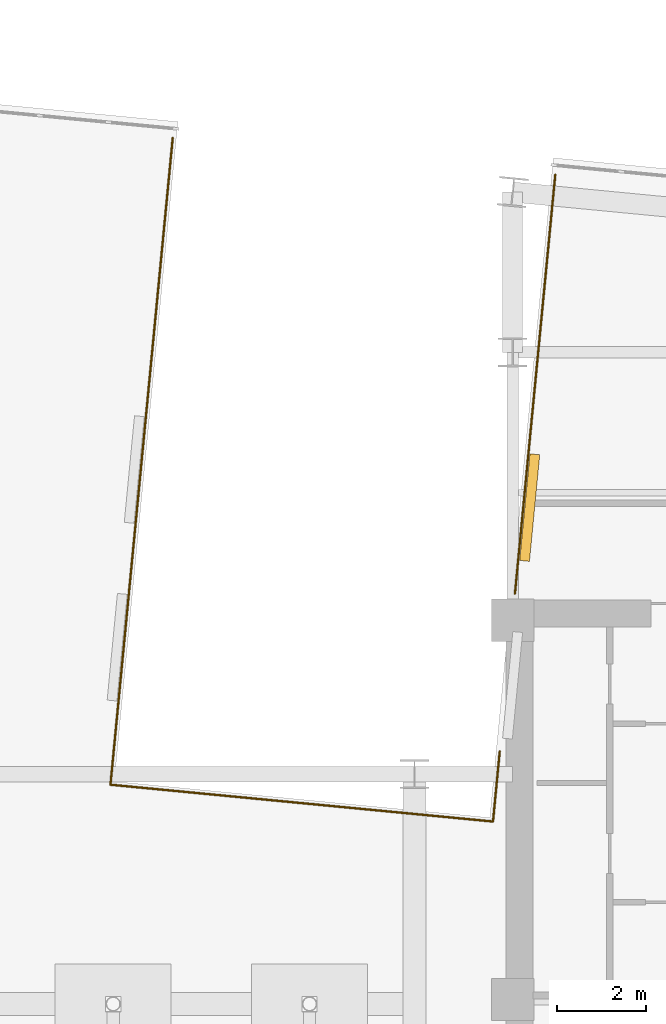
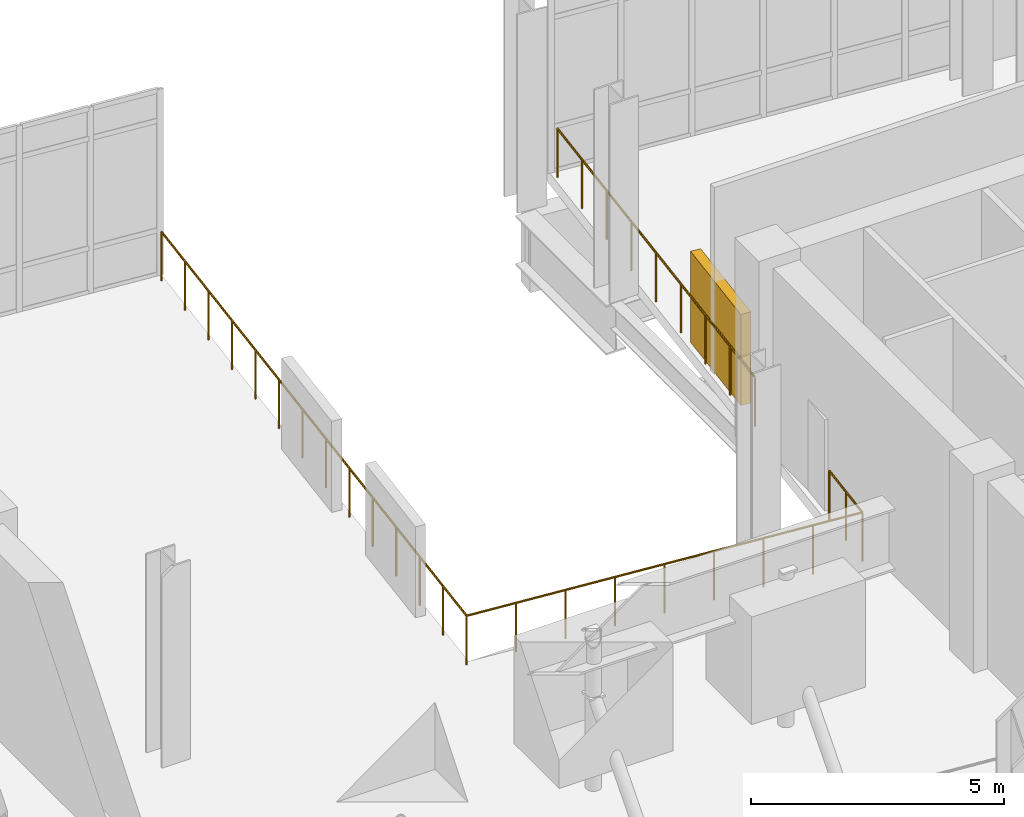
# One storey, part 16 of 16: 2 railings, 1 shading device.
"""IFC4 building model written with IfcOpenShell, lengths in metres."""

from ifc_helpers import new_model, si_unit, direction, frame, origin, origin_2d, place, context, subcontext, project, spatial, rectangle, circle, extrude, material, type_object, element, save


model = new_model("IFC4")

# Units and contexts
model_context = context("Model", 3, precision=1e-05, world=origin(), true_north=direction((0.0, 1.0)))
body_context = subcontext(model_context, "Body", "Model", "MODEL_VIEW")
ifc_project = project(units=[si_unit("LENGTHUNIT", "METRE"), si_unit("AREAUNIT", "SQUARE_METRE"), si_unit("VOLUMEUNIT", "CUBIC_METRE"), si_unit("PLANEANGLEUNIT", "RADIAN"), si_unit("MASSUNIT", "GRAM", prefix="KILO")], contexts=[model_context])

# Site, building, storey
site_placement = place(None, origin())
site = spatial("IfcSite", under=ifc_project, at=site_placement, CompositionType="ELEMENT")
building_placement = place(site_placement, origin())
building = spatial("IfcBuilding", under=site, at=building_placement, Name="Velakula Bourse", CompositionType="ELEMENT")
storey_placement = place(building_placement, frame((0.0, 0.0, 199.5)))
storey = spatial("IfcBuildingStorey", under=building, at=storey_placement, Name="L54", CompositionType="ELEMENT", Elevation=199.5)

# Railings
ifc_material = material(Name="Anodised bronze architectural aluminium", Category="aluminium")
railing_type = type_object("IfcRailingType", Name="RLG-VENT-1200", PredefinedType="BALUSTRADE", material=ifc_material)
railing_1_placement = place(storey_placement, frame((1.333984375, 19.4052734375, 0.0)))
element("IfcRailing", 1, at=railing_1_placement, inside=storey, type_object=railing_type, Name="L54 Venturi Wind Slot Safety Balustrade 1.1", PredefinedType="BALUSTRADE", context=body_context, shape_type="SweptSolid", body=[
    extrude(circle(Radius=0.02392578125, at=origin_2d()), frame((0.0, 0.0, 1.17578125), z_axis=(-0.095844040365, -0.995396363228, 0.0), x_axis=(0.995396363228, -0.095844040365, 0.0)), (0.0, 0.0, 1.0), 14.560302734375),
    extrude(circle(Radius=0.02392578125, at=origin_2d()), frame((-1.3955078125, -14.4931640625, 1.17578125), z_axis=(0.995396552067, -0.095842079136, 0.0), x_axis=(0.095842079136, 0.995396552067, 0.0)), (0.0, 0.0, 1.0), 8.60986328125),
    extrude(circle(Radius=0.02392578125, at=origin_2d()), frame((7.1748046875, -15.318359375, 1.17578125), z_axis=(0.09583926481, 0.995396823041, 0.0), x_axis=(-0.995396823041, 0.09583926481, 0.0)), (0.0, 0.0, 1.0), 1.576904296875),
    extrude(circle(Radius=0.02099609375, at=origin_2d()), origin(), (0.0, 0.0, 1.0), 1.15185546875),
    extrude(circle(Radius=0.02099609375, at=origin_2d()), frame((-0.107421875, -1.11474609375, 0.0)), (0.0, 0.0, 1.0), 1.15185546875),
    extrude(circle(Radius=0.02099609375, at=origin_2d()), frame((-0.214599609375, -2.229736328125, 0.0)), (0.0, 0.0, 1.0), 1.15185546875),
    extrude(circle(Radius=0.02099609375, at=origin_2d()), frame((-0.322021484375, -3.344482421875, 0.0)), (0.0, 0.0, 1.0), 1.15185546875),
    extrude(circle(Radius=0.02099609375, at=origin_2d()), frame((-0.429443359375, -4.45947265625, 0.0)), (0.0, 0.0, 1.0), 1.15185546875),
    extrude(circle(Radius=0.02099609375, at=origin_2d()), frame((-0.53662109375, -5.57421875, 0.0)), (0.0, 0.0, 1.0), 1.15185546875),
    extrude(circle(Radius=0.02099609375, at=origin_2d()), frame((-0.64404296875, -6.689208984375, 0.0)), (0.0, 0.0, 1.0), 1.15185546875),
    extrude(circle(Radius=0.02099609375, at=origin_2d()), frame((-0.75146484375, -7.803955078125, 0.0)), (0.0, 0.0, 1.0), 1.15185546875),
    extrude(circle(Radius=0.02099609375, at=origin_2d()), frame((-0.85888671875, -8.9189453125, 0.0)), (0.0, 0.0, 1.0), 1.15185546875),
    extrude(circle(Radius=0.02099609375, at=origin_2d()), frame((-0.966064453125, -10.03369140625, 0.0)), (0.0, 0.0, 1.0), 1.15185546875),
    extrude(circle(Radius=0.02099609375, at=origin_2d()), frame((-1.073486328125, -11.148681640625, 0.0)), (0.0, 0.0, 1.0), 1.15185546875),
    extrude(circle(Radius=0.02099609375, at=origin_2d()), frame((-1.180908203125, -12.263427734375, 0.0)), (0.0, 0.0, 1.0), 1.15185546875),
    extrude(circle(Radius=0.02099609375, at=origin_2d()), frame((-1.2880859375, -13.37841796875, 0.0)), (0.0, 0.0, 1.0), 1.15185546875),
    extrude(circle(Radius=0.02099609375, at=origin_2d()), frame((-1.3955078125, -14.4931640625, 0.0)), (0.0, 0.0, 1.0), 1.15185546875),
    extrude(circle(Radius=0.02099609375, at=origin_2d()), frame((-0.32421875, -14.59619140625, 0.0)), (0.0, 0.0, 1.0), 1.15185546875),
    extrude(circle(Radius=0.02099609375, at=origin_2d()), frame((0.7470703125, -14.699462890625, 0.0)), (0.0, 0.0, 1.0), 1.15185546875),
    extrude(circle(Radius=0.02099609375, at=origin_2d()), frame((1.818359375, -14.802734375, 0.0)), (0.0, 0.0, 1.0), 1.15185546875),
    extrude(circle(Radius=0.02099609375, at=origin_2d()), frame((2.8896484375, -14.90576171875, 0.0)), (0.0, 0.0, 1.0), 1.15185546875),
    extrude(circle(Radius=0.02099609375, at=origin_2d()), frame((3.9609375, -15.0087890625, 0.0)), (0.0, 0.0, 1.0), 1.15185546875),
    extrude(circle(Radius=0.02099609375, at=origin_2d()), frame((5.0322265625, -15.112060546875, 0.0)), (0.0, 0.0, 1.0), 1.15185546875),
    extrude(circle(Radius=0.02099609375, at=origin_2d()), frame((6.103515625, -15.21533203125, 0.0)), (0.0, 0.0, 1.0), 1.15185546875),
    extrude(circle(Radius=0.02099609375, at=origin_2d()), frame((7.1748046875, -15.318359375, 0.0)), (0.0, 0.0, 1.0), 1.15185546875),
    extrude(circle(Radius=0.02099609375, at=origin_2d()), frame((7.25048828125, -14.53369140625, 0.0)), (0.0, 0.0, 1.0), 1.15185546875),
    extrude(circle(Radius=0.02099609375, at=origin_2d()), frame((7.325927734375, -13.748779296875, 0.0)), (0.0, 0.0, 1.0), 1.15185546875),
])
railing_2_placement = place(storey_placement, frame((9.000244140625, 9.18994140625, 0.0)))
element("IfcRailing", 2, at=railing_2_placement, inside=storey, type_object=railing_type, Name="L54 Venturi Wind Slot Safety Balustrade 1.2", PredefinedType="BALUSTRADE", context=body_context, shape_type="SweptSolid", body=[
    extrude(circle(Radius=0.02392578125, at=origin_2d()), frame((0.0, 0.0, 1.17578125), z_axis=(0.095833716753, 0.995397357206, 0.0), x_axis=(-0.995397357206, 0.095833716753, 0.0)), (0.0, 0.0, 1.0), 9.43359375),
    extrude(circle(Radius=0.02099609375, at=origin_2d()), origin(), (0.0, 0.0, 1.0), 1.15185546875),
    extrude(circle(Radius=0.02099609375, at=origin_2d()), frame((0.113037109375, 1.173828125, 0.0)), (0.0, 0.0, 1.0), 1.15185546875),
    extrude(circle(Radius=0.02099609375, at=origin_2d()), frame((0.22607421875, 2.34765625, 0.0)), (0.0, 0.0, 1.0), 1.15185546875),
    extrude(circle(Radius=0.02099609375, at=origin_2d()), frame((0.339111328125, 3.521240234375, 0.0)), (0.0, 0.0, 1.0), 1.15185546875),
    extrude(circle(Radius=0.02099609375, at=origin_2d()), frame((0.4521484375, 4.695068359375, 0.0)), (0.0, 0.0, 1.0), 1.15185546875),
    extrude(circle(Radius=0.02099609375, at=origin_2d()), frame((0.56494140625, 5.868896484375, 0.0)), (0.0, 0.0, 1.0), 1.15185546875),
    extrude(circle(Radius=0.02099609375, at=origin_2d()), frame((0.677978515625, 7.04248046875, 0.0)), (0.0, 0.0, 1.0), 1.15185546875),
    extrude(circle(Radius=0.02099609375, at=origin_2d()), frame((0.791015625, 8.21630859375, 0.0)), (0.0, 0.0, 1.0), 1.15185546875),
    extrude(circle(Radius=0.02099609375, at=origin_2d()), frame((0.904052734375, 9.39013671875, 0.0)), (0.0, 0.0, 1.0), 1.15185546875),
])

# Shading device
shading_device_type = type_object("IfcShadingDeviceType", Name="SHD-JLS-2400", PredefinedType="JALOUSIE", material=ifc_material)
shading_device_placement = place(storey_placement, frame((9.331787109375, 11.12060546875, 0.0), z_axis=(0.0, 0.0, 1.0), x_axis=(0.995396198367, -0.09584575252, 0.0)))
element("IfcShadingDevice", 3, at=shading_device_placement, inside=storey, type_object=shading_device_type, Name="L54 Venturi Acoustic Louvre Shroud E4", PredefinedType="JALOUSIE", context=body_context, shape_type="SweptSolid", body=[
    extrude(rectangle(XDim=0.219970703125, YDim=2.39990234375, at=origin_2d()), origin(), (0.0, 0.0, 1.0), 2.199951171875),
])

save(model, "model.ifc")
